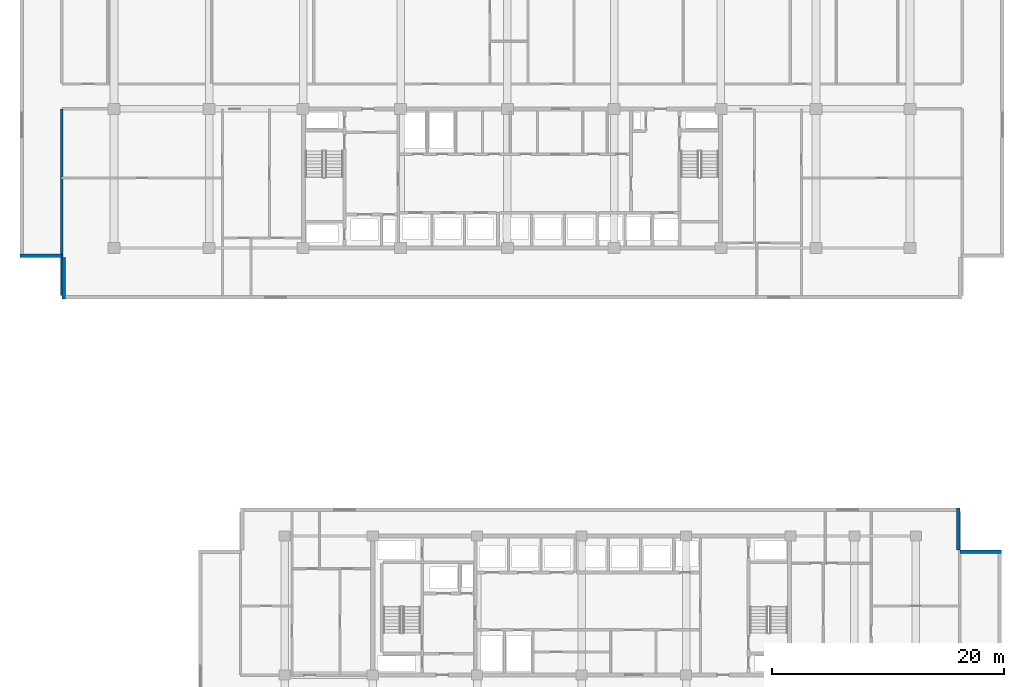
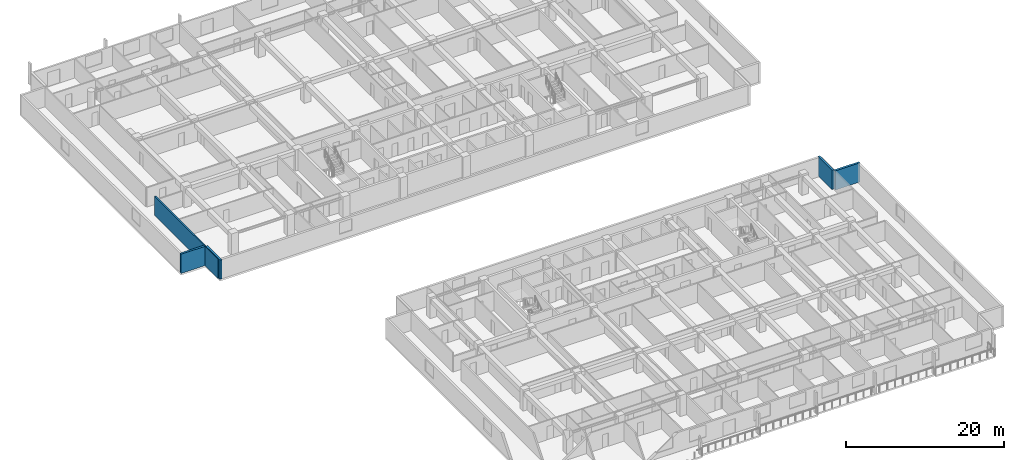
# One storey, part 9 of 23: 5 walls.
"""IFC4 building model written with IfcOpenShell, lengths in metres."""

from ifc_helpers import new_model, si_unit, direction, frame, frame_2d, origin, place, context, subcontext, project, spatial, rectangle, extrude, material, layer, layer_set, type_object, element, save


model = new_model("IFC4")

# Units and contexts
model_context = context("Model", 3, precision=1e-05, world=origin(), true_north=direction((0.0, 1.0)))
body_context = subcontext(model_context, "Body", "Model", "MODEL_VIEW")
ifc_project = project(units=[si_unit("LENGTHUNIT", "METRE"), si_unit("AREAUNIT", "SQUARE_METRE"), si_unit("VOLUMEUNIT", "CUBIC_METRE"), si_unit("PLANEANGLEUNIT", "RADIAN"), si_unit("MASSUNIT", "GRAM", prefix="KILO")], contexts=[model_context])

# Site, building, storey
site_placement = place(None, origin())
site = spatial("IfcSite", under=ifc_project, at=site_placement, CompositionType="ELEMENT")
building_placement = place(site_placement, origin())
building = spatial("IfcBuilding", under=site, at=building_placement, Name="Korimba Cascade Residences", CompositionType="ELEMENT")
storey_placement = place(building_placement, frame((0.0, 0.0, 59.75)))
storey = spatial("IfcBuildingStorey", under=building, at=storey_placement, Name="L16", CompositionType="ELEMENT", Elevation=59.75)

# Walls
ifc_material = material(Name="Precast concrete C40/50", Category="concrete")
ifc_layer_1 = layer(ifc_material, 0.300048828125)
ifc_layer_set_1 = layer_set([ifc_layer_1], Name="Precast concrete C40/50")
wall_type_1 = type_object("IfcWallType", Name="EW-STONE-300", PredefinedType="STANDARD", material=ifc_layer_set_1)
wall_1_placement = place(storey_placement, frame((51.699951171875, 54.550048828125, 0.0), z_axis=(0.0, 0.0, 1.0), x_axis=(1.0, 0.0, 0.0)))
element("IfcWall", 1, at=wall_1_placement, inside=storey, type_object=wall_type_1, Name="L16 T1 Perimeter Stone Wall E10", PredefinedType="STANDARD", context=body_context, shape_type="SweptSolid", body=[
    extrude(rectangle(XDim=3.60009765625, YDim=0.300048828125, at=frame_2d((1.800048828125, 0.0))), origin(), (0.0, 0.0, 1.0), 2.969970703125),
])
wall_2_placement = place(storey_placement, frame((55.449951171875, 54.39990234375, 0.0), z_axis=(0.0, 0.0, 1.0), x_axis=(0.0, -1.0, 0.0)))
element("IfcWall", 2, at=wall_2_placement, inside=storey, type_object=wall_type_1, Name="L16 T1 Perimeter Stone Wall E11", PredefinedType="STANDARD", context=body_context, shape_type="SweptSolid", body=[
    extrude(rectangle(XDim=3.599853515625, YDim=0.300048828125, at=frame_2d((1.7998046875, 0.0))), origin(), (0.0, 0.0, 1.0), 2.969970703125),
])
for number, where, z_axis, x_axis, name in (
    (3, (136.300048828125, 29.050048828125, 0.0), (0.0, 0.0, 1.0), (-1.0, 0.0, 0.0), "L16 T2 Perimeter Stone Wall E04"),
    (4, (132.550048828125, 29.199951171875, 0.0), (0.0, 0.0, 1.0), (0.0, 1.0, 0.0), "L16 T2 Perimeter Stone Wall E05"),
):
    element("IfcWall", number, at=place(storey_placement, frame(where, z_axis=z_axis, x_axis=x_axis)), inside=storey, type_object=wall_type_1, Name=name, PredefinedType="STANDARD", context=body_context, shape_type="SweptSolid", body=[
        extrude(rectangle(XDim=3.60009765625, YDim=0.300048828125, at=frame_2d((1.800048828125, 0.0))), origin(), (0.0, 0.0, 1.0), 2.969970703125),
    ])
ifc_layer_2 = layer(ifc_material, 0.199951171875)
ifc_layer_set_2 = layer_set([ifc_layer_2], Name="Precast concrete C40/50")
wall_type_2 = type_object("IfcWallType", Name="WAL-IT-200", PredefinedType="PARTITIONING", material=ifc_layer_set_2)
wall_3_placement = place(storey_placement, frame((55.300048828125, 51.10009765625, 0.0), z_axis=(0.0, 0.0, 1.0), x_axis=(0.0, 1.0, 0.0)))
element("IfcWall", 5, at=wall_3_placement, inside=storey, type_object=wall_type_2, Name="L16 Partition Wall WAL-L16-T1-FW-WL", PredefinedType="PARTITIONING", context=body_context, shape_type="SweptSolid", body=[
    extrude(rectangle(XDim=16.099853515625, YDim=0.199951171875, at=frame_2d((8.0498046875, 0.0))), origin(), (0.0, 0.0, 1.0), 2.969970703125),
])

save(model, "model.ifc")
